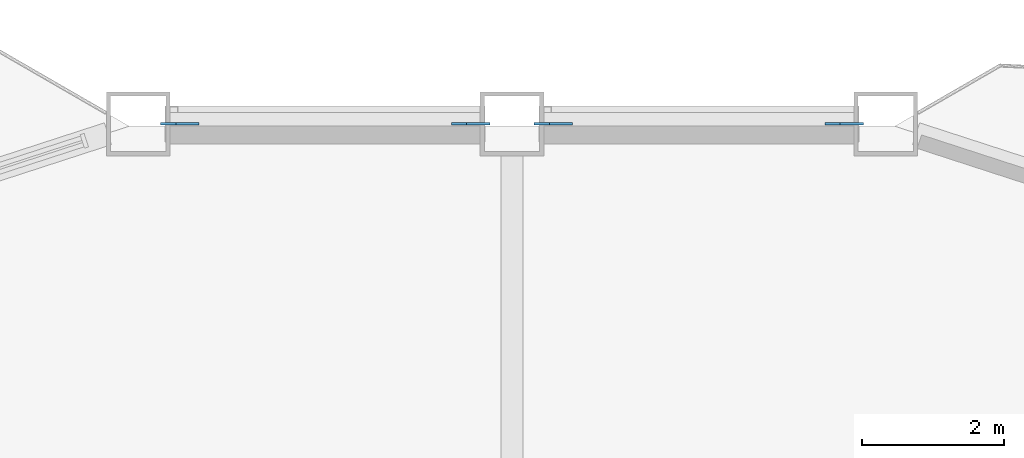
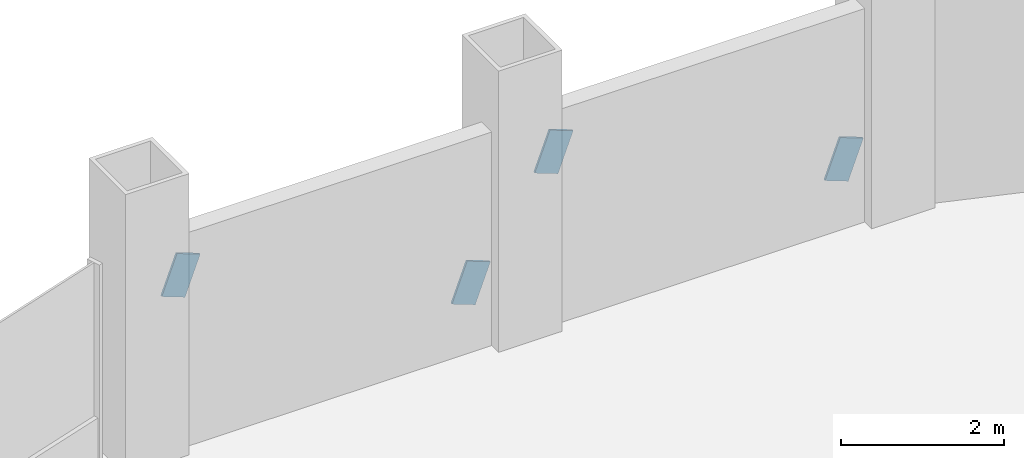
# One storey, part 16 of 21: 4 discrete accessories.
"""IFC4 building model written with IfcOpenShell, lengths in metres."""

from ifc_helpers import new_model, si_unit, direction, frame, origin, origin_2d, place, context, subcontext, project, spatial, rectangle, extrude, material, material_profile, profile_set, type_object, element, save


model = new_model("IFC4")

# Units and contexts
model_context = context("Model", 3, precision=1e-05, world=origin(), true_north=direction((0.0, 1.0)))
body_context = subcontext(model_context, "Body", "Model", "MODEL_VIEW")
ifc_project = project(units=[si_unit("LENGTHUNIT", "METRE"), si_unit("AREAUNIT", "SQUARE_METRE"), si_unit("VOLUMEUNIT", "CUBIC_METRE"), si_unit("PLANEANGLEUNIT", "RADIAN"), si_unit("MASSUNIT", "GRAM", prefix="KILO")], contexts=[model_context])

# Site, building, storey
site_placement = place(None, origin())
site = spatial("IfcSite", under=ifc_project, at=site_placement, CompositionType="ELEMENT")
building_placement = place(site_placement, origin())
building = spatial("IfcBuilding", under=site, at=building_placement, Name="Cormorant Prow Tower", CompositionType="ELEMENT")
storey_placement = place(building_placement, frame((0.0, 0.0, 145.800048828125)))
storey = spatial("IfcBuildingStorey", under=building, at=storey_placement, Name="L31", CompositionType="ELEMENT", Elevation=145.800048828125)

# Discrete accessories
ifc_material = material(Name="Structural steel ASTM A500 Gr C", Category="steel")
ifc_material_profile = material_profile(ifc_material, rectangle(XDim=0.031982421875, YDim=0.60791015625, at=origin_2d()), Name="Gusset plate 32x608")
ifc_profile_set = profile_set([ifc_material_profile], Name="Structural steel ASTM A500 Gr C")
discrete_accessory_type = type_object("IfcDiscreteAccessoryType", Name="Gusset plate 32x608", PredefinedType="BRACKET", material=ifc_profile_set)
discrete_accessory_1_placement = place(storey_placement, frame((4.521240234375, 32.487060546875, 0.88232421875), z_axis=(0.935610415408, 0.0, -0.353034205963), x_axis=(0.0, 1.0, 0.0)))
element("IfcDiscreteAccessory", 1, at=discrete_accessory_1_placement, inside=storey, type_object=discrete_accessory_type, Name="Gusset plate GP1 L31.N00.g0", PredefinedType="BRACKET", context=body_context, shape_type="SweptSolid", body=[
    extrude(rectangle(XDim=0.031982421875, YDim=0.60791015625, at=origin_2d()), origin(), (0.0, 0.0, 1.0), 0.349853515625),
])
for number, where, z_axis, x_axis, name in (
    (2, (0.74853515625, 32.487060546875, 2.306396484375), (-0.935697286394, 0.0, 0.35280389487), (0.0, -1.0, 0.0), "Gusset plate GP1 L31.N00.g1"),
    (3, (-0.74853515625, 32.487060546875, 0.88232421875), (0.935697286394, 0.0, -0.35280389487), (0.0, 1.0, 0.0), "Gusset plate GP1 L31.N01.g0"),
):
    element("IfcDiscreteAccessory", number, at=place(storey_placement, frame(where, z_axis=z_axis, x_axis=x_axis)), inside=storey, type_object=discrete_accessory_type, Name=name, PredefinedType="BRACKET", context=body_context, shape_type="SweptSolid", body=[
        extrude(rectangle(XDim=0.031982421875, YDim=0.60791015625, at=origin_2d()), origin(), (0.0, 0.0, 1.0), 0.35009765625),
    ])
discrete_accessory_2_placement = place(storey_placement, frame((-4.521240234375, 32.487060546875, 2.306396484375), z_axis=(-0.935610415408, 0.0, 0.353034205963), x_axis=(0.0, -1.0, 0.0)))
element("IfcDiscreteAccessory", 4, at=discrete_accessory_2_placement, inside=storey, type_object=discrete_accessory_type, Name="Gusset plate GP1 L31.N01.g1", PredefinedType="BRACKET", context=body_context, shape_type="SweptSolid", body=[
    extrude(rectangle(XDim=0.031982421875, YDim=0.60791015625, at=origin_2d()), origin(), (0.0, 0.0, 1.0), 0.349853515625),
])

save(model, "model.ifc")
